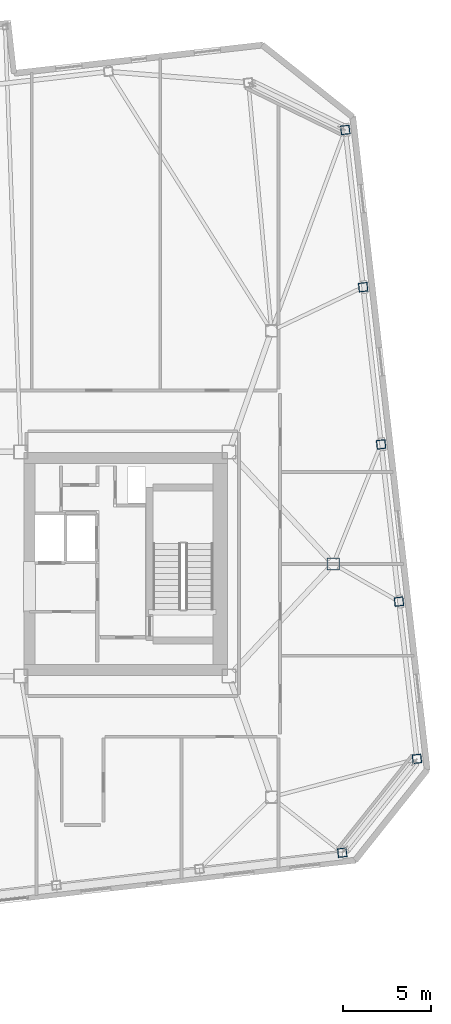
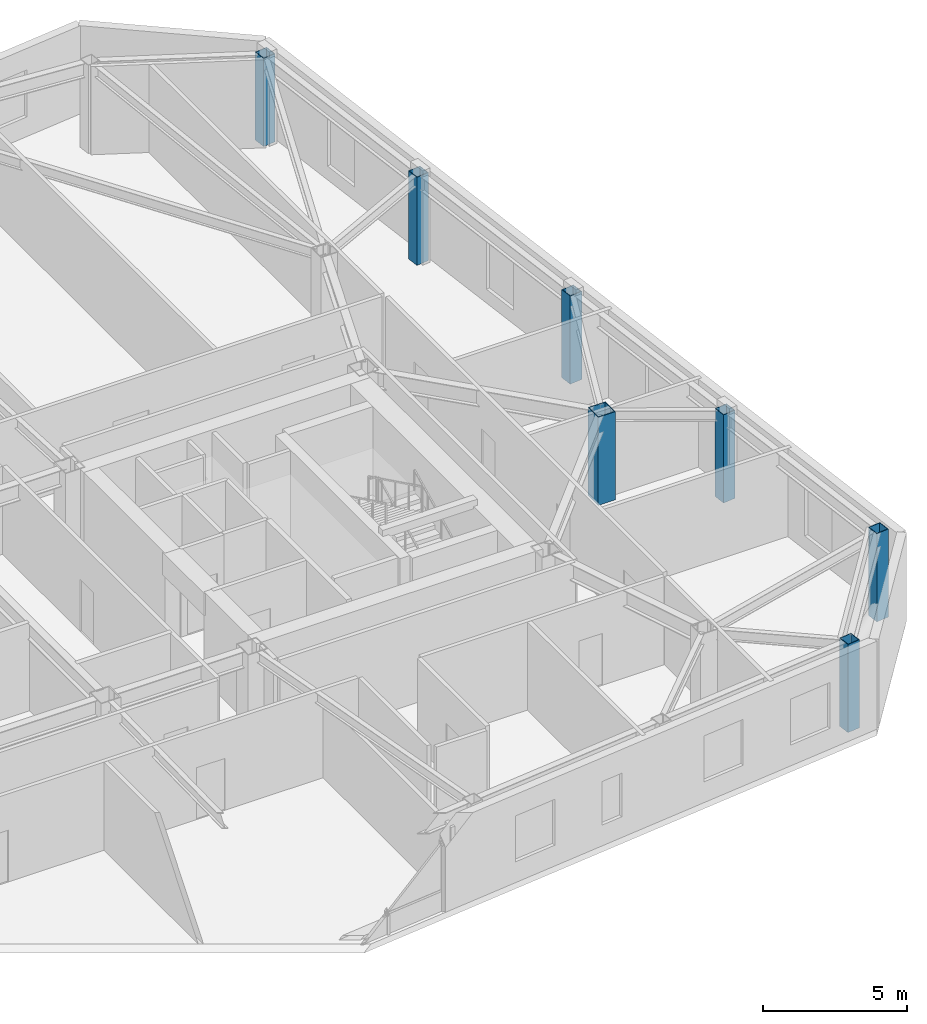
# One storey, part 4 of 21: 7 columns.
"""IFC4 building model written with IfcOpenShell, lengths in metres."""

from ifc_helpers import new_model, si_unit, direction, frame, origin, origin_2d, place, context, subcontext, project, spatial, hollow_rectangle, extrude, material, material_profile, profile_set, type_object, element, save


model = new_model("IFC4")

# Units and contexts
model_context = context("Model", 3, precision=1e-05, world=origin(), true_north=direction((0.0, 1.0)))
body_context = subcontext(model_context, "Body", "Model", "MODEL_VIEW")
ifc_project = project(units=[si_unit("LENGTHUNIT", "METRE"), si_unit("AREAUNIT", "SQUARE_METRE"), si_unit("VOLUMEUNIT", "CUBIC_METRE"), si_unit("PLANEANGLEUNIT", "RADIAN"), si_unit("MASSUNIT", "GRAM", prefix="KILO")], contexts=[model_context])

# Site, building, storey
site_placement = place(None, origin())
site = spatial("IfcSite", under=ifc_project, at=site_placement, CompositionType="ELEMENT")
building_placement = place(site_placement, origin())
building = spatial("IfcBuilding", under=site, at=building_placement, Name="Tavrogorsk Clinical Tower", CompositionType="ELEMENT")
storey_placement = place(building_placement, frame((0.0, 0.0, 247.0)))
storey = spatial("IfcBuildingStorey", under=building, at=storey_placement, Name="L57", CompositionType="ELEMENT", Elevation=247.0)

# Columns
ifc_material_1 = material(Name="Structural steel S440", Category="steel")
ifc_material_profile_1 = material_profile(ifc_material_1, hollow_rectangle(XDim=0.699951171875, YDim=0.699951171875, WallThickness=0.031982421875, at=origin_2d()), Name="BOX-700x700x32")
ifc_profile_set_1 = profile_set([ifc_material_profile_1], Name="Structural steel S440")
column_type_1 = type_object("IfcColumnType", Name="MegaCol_BOX700", PredefinedType="COLUMN", material=ifc_profile_set_1)
column_placement = place(storey_placement, frame((28.0, 0.0, 0.0), z_axis=(0.0, 0.0, 1.0), x_axis=(1.0, 0.0, 0.0)))
element("IfcColumn", 1, at=column_placement, inside=storey, type_object=column_type_1, Name="L57 Spine Pilotis Column MC-P6", PredefinedType="COLUMN", context=body_context, shape_type="SweptSolid", body=[
    extrude(hollow_rectangle(XDim=0.699951171875, YDim=0.699951171875, WallThickness=0.031982421875, at=origin_2d()), origin(), (0.0, 0.0, 1.0), 3.739990234375),
])
ifc_material_2 = material(Name="Structural steel S440", Category="steel")
ifc_material_profile_2 = material_profile(ifc_material_2, hollow_rectangle(XDim=0.5, YDim=0.5, WallThickness=0.02490234375, at=origin_2d()), Name="BOX-500x500x25")
ifc_profile_set_2 = profile_set([ifc_material_profile_2], Name="Structural steel S440")
column_type_2 = type_object("IfcColumnType", Name="PerimCol_B4_BOX500", PredefinedType="COLUMN", material=ifc_profile_set_2)
for number, where, z_axis, x_axis, name in (
    (2, (28.508544921875, -16.345458984375, 0.0), (0.0, 0.0, 1.0), (0.993571855677, 0.113203213768, 0.0), "L57 Perimeter Column S8"),
    (3, (32.734375, -11.032958984375, 0.0), (0.0, 0.0, 1.0), (0.993571855677, 0.113203213768, 0.0), "L57 Perimeter Column E1"),
    (4, (31.72021484375, -2.130615234375, 0.0), (0.0, 0.0, 1.0), (0.993571855677, 0.113203213768, 0.0), "L57 Perimeter Column E2"),
    (5, (30.705810546875, 6.77197265625, 0.0), (0.0, 0.0, 1.0), (0.993571855677, 0.113203213768, 0.0), "L57 Perimeter Column E3"),
    (6, (29.69140625, 15.67431640625, 0.0), (0.0, 0.0, 1.0), (0.993571855677, 0.113203213768, 0.0), "L57 Perimeter Column E4"),
    (7, (28.67724609375, 24.57666015625, 0.0), (0.0, 0.0, 1.0), (0.993571855677, 0.113203213768, 0.0), "L57 Perimeter Column E5"),
):
    element("IfcColumn", number, at=place(storey_placement, frame(where, z_axis=z_axis, x_axis=x_axis)), inside=storey, type_object=column_type_2, Name=name, PredefinedType="COLUMN", context=body_context, shape_type="SweptSolid", body=[
        extrude(hollow_rectangle(XDim=0.5, YDim=0.5, WallThickness=0.02490234375, at=origin_2d()), origin(), (0.0, 0.0, 1.0), 3.739990234375),
    ])

save(model, "model.ifc")
